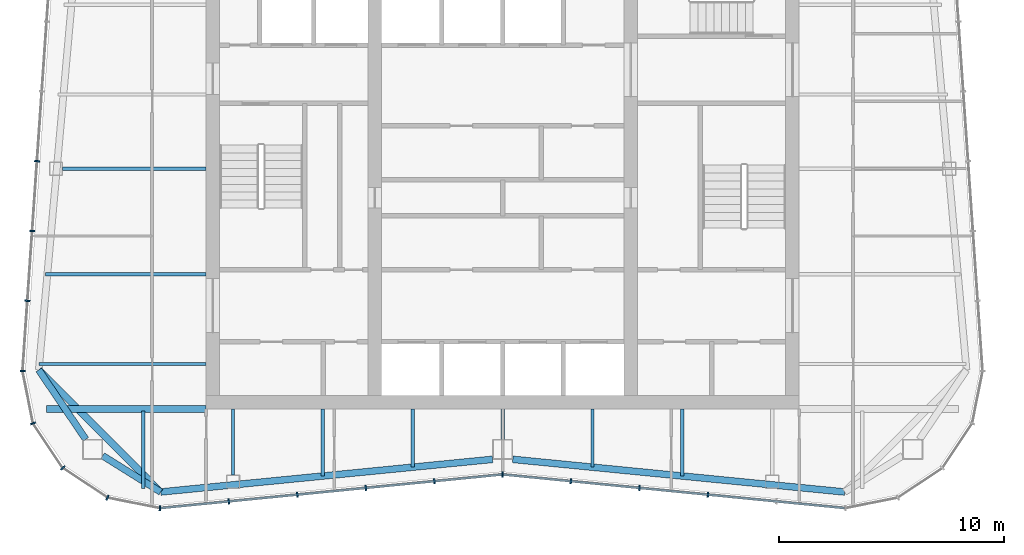
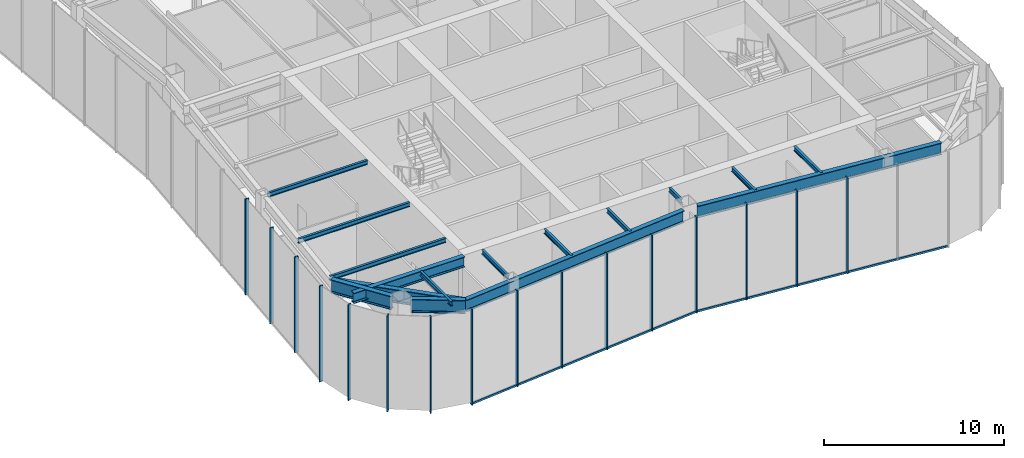
# One storey, part 3 of 15: 18 members, 16 beams, 3 elements without a shape of their own.
"""IFC4 building model written with IfcOpenShell, lengths in metres."""

from ifc_helpers import new_model, si_unit, direction, frame, origin, origin_2d, place, context, subcontext, project, spatial, rectangle, i_section, extrude, material, material_profile, profile_set, type_object, element, aggregate, save


model = new_model("IFC4")

# Units and contexts
model_context = context("Model", 3, precision=1e-05, world=origin(), true_north=direction((0.0, 1.0)))
body_context = subcontext(model_context, "Body", "Model", "MODEL_VIEW")
ifc_project = project(units=[si_unit("LENGTHUNIT", "METRE"), si_unit("AREAUNIT", "SQUARE_METRE"), si_unit("VOLUMEUNIT", "CUBIC_METRE"), si_unit("PLANEANGLEUNIT", "RADIAN"), si_unit("MASSUNIT", "GRAM", prefix="KILO")], contexts=[model_context])

# Site, building, storey
site_placement = place(None, origin())
site = spatial("IfcSite", under=ifc_project, at=site_placement, CompositionType="ELEMENT")
building_placement = place(site_placement, origin())
building = spatial("IfcBuilding", under=site, at=building_placement, Name="Verdant Reach Tower", CompositionType="ELEMENT")
storey_placement = place(building_placement, frame((0.0, 0.0, 334.0)))
storey = spatial("IfcBuildingStorey", under=building, at=storey_placement, Name="L77", CompositionType="ELEMENT", Elevation=334.0)

# Curtain wall, members
ifc_material_1 = material(Name="Anodised aluminium", Category="aluminium")
curtain_wall_type = type_object("IfcCurtainWallType", Name="EN-CW SYSTEM Z5", PredefinedType="NOTDEFINED", material=ifc_material_1)
curtain_wall_1_placement = place(storey_placement, origin())
curtain_wall_1 = element("IfcCurtainWall", 1, at=curtain_wall_1_placement, inside=storey, type_object=curtain_wall_type, Name="Curtain wall west, L77", PredefinedType="NOTDEFINED")
ifc_material_profile_1 = material_profile(ifc_material_1, rectangle(XDim=0.22998046875, YDim=0.070068359375, at=origin_2d()), Name="Mullion 70x230")
ifc_profile_set_1 = profile_set([ifc_material_profile_1], Name="Anodised aluminium")
member_type_1 = type_object("IfcMemberType", Name="EN-MULLION Z5", PredefinedType="MULLION", material=ifc_profile_set_1)
member_1_placement = place(storey_placement, frame((-20.721923828125, 28.829345703125, -0.35009765625), z_axis=(0.0, 0.0, 1.0), x_axis=(-0.997630328423, 0.068802091615, 0.0)))
member_1 = element("IfcMember", 2, at=member_1_placement, type_object=member_type_1, Name="Mullion west face part 2 5, L77", PredefinedType="MULLION", context=body_context, shape_type="SweptSolid", body=[
    extrude(rectangle(XDim=0.22998046875, YDim=0.070068359375, at=origin_2d()), origin(), (0.0, 0.0, 1.0), 6.5),
])
member_2_placement = place(storey_placement, frame((-20.93603515625, 25.72216796875, -0.35009765625), z_axis=(0.0, 0.0, 1.0), x_axis=(-0.997630328423, 0.068802091615, 0.0)))
member_2 = element("IfcMember", 3, at=member_2_placement, type_object=member_type_1, Name="Mullion west face part 2 6, L77", PredefinedType="MULLION", context=body_context, shape_type="SweptSolid", body=[
    extrude(rectangle(XDim=0.22998046875, YDim=0.070068359375, at=origin_2d()), origin(), (0.0, 0.0, 1.0), 6.5),
])
member_3_placement = place(storey_placement, frame((-21.150390625, 22.614990234375, -0.35009765625), z_axis=(0.0, 0.0, 1.0), x_axis=(-0.997630328423, 0.068802091615, 0.0)))
member_3 = element("IfcMember", 4, at=member_3_placement, type_object=member_type_1, Name="Mullion west face part 2 7, L77", PredefinedType="MULLION", context=body_context, shape_type="SweptSolid", body=[
    extrude(rectangle(XDim=0.22998046875, YDim=0.070068359375, at=origin_2d()), origin(), (0.0, 0.0, 1.0), 6.5),
])
aggregate(curtain_wall_1, [member_1, member_2, member_3])

curtain_wall_2_placement = place(storey_placement, origin())
curtain_wall_2 = element("IfcCurtainWall", 5, at=curtain_wall_2_placement, inside=storey, type_object=curtain_wall_type, Name="Curtain wall south-west corner, L77", PredefinedType="NOTDEFINED")
member_4_placement = place(storey_placement, frame((-21.36474609375, 19.49267578125, -0.35009765625), z_axis=(0.0, 0.0, 1.0), x_axis=(-0.997969180898, -0.063698618332, 0.0)))
member_4 = element("IfcMember", 6, at=member_4_placement, type_object=member_type_1, Name="Mullion south-west corner 1, L77", PredefinedType="MULLION", context=body_context, shape_type="SweptSolid", body=[
    extrude(rectangle(XDim=0.22998046875, YDim=0.070068359375, at=origin_2d()), origin(), (0.0, 0.0, 1.0), 6.5),
])
member_5_placement = place(storey_placement, frame((-20.899658203125, 17.159912109375, -0.35009765625), z_axis=(0.0, 0.0, 1.0), x_axis=(-0.923875215753, -0.382693853776, 0.0)))
member_5 = element("IfcMember", 7, at=member_5_placement, type_object=member_type_1, Name="Mullion south-west corner 2, L77", PredefinedType="MULLION", context=body_context, shape_type="SweptSolid", body=[
    extrude(rectangle(XDim=0.22998046875, YDim=0.070068359375, at=origin_2d()), origin(), (0.0, 0.0, 1.0), 6.5),
])
member_6_placement = place(storey_placement, frame((-19.573974609375, 15.176025390625, -0.35009765625), z_axis=(0.0, 0.0, 1.0), x_axis=(-0.707106781187, -0.707106781187, 0.0)))
member_6 = element("IfcMember", 8, at=member_6_placement, type_object=member_type_1, Name="Mullion south-west corner 3, L77", PredefinedType="MULLION", context=body_context, shape_type="SweptSolid", body=[
    extrude(rectangle(XDim=0.22998046875, YDim=0.070068359375, at=origin_2d()), origin(), (0.0, 0.0, 1.0), 6.5),
])
member_7_placement = place(storey_placement, frame((-17.590087890625, 13.850341796875, -0.35009765625), z_axis=(0.0, 0.0, 1.0), x_axis=(-0.382693853776, -0.923875215753, 0.0)))
member_7 = element("IfcMember", 9, at=member_7_placement, type_object=member_type_1, Name="Mullion south-west corner 4, L77", PredefinedType="MULLION", context=body_context, shape_type="SweptSolid", body=[
    extrude(rectangle(XDim=0.22998046875, YDim=0.070068359375, at=origin_2d()), origin(), (0.0, 0.0, 1.0), 6.5),
])
aggregate(curtain_wall_2, [member_4, member_5, member_6, member_7])

curtain_wall_3_placement = place(storey_placement, origin())
curtain_wall_3 = element("IfcCurtainWall", 10, at=curtain_wall_3_placement, inside=storey, type_object=curtain_wall_type, Name="Curtain wall south, L77", PredefinedType="NOTDEFINED")
member_8_placement = place(storey_placement, frame((-15.255615234375, 13.38525390625, -0.35009765625), z_axis=(0.0, 0.0, 1.0), x_axis=(-0.049127596288, -0.998792510626, 0.0)))
member_8 = element("IfcMember", 11, at=member_8_placement, type_object=member_type_1, Name="Mullion south face part 1 1, L77", PredefinedType="MULLION", context=body_context, shape_type="SweptSolid", body=[
    extrude(rectangle(XDim=0.22998046875, YDim=0.070068359375, at=origin_2d()), origin(), (0.0, 0.0, 1.0), 6.5),
])
member_9_placement = place(storey_placement, frame((-12.188720703125, 13.685546875, -0.35009765625), z_axis=(0.0, 0.0, 1.0), x_axis=(0.09788826992, -0.995197410875, 0.0)))
member_9 = element("IfcMember", 12, at=member_9_placement, type_object=member_type_1, Name="Mullion south face part 1 2, L77", PredefinedType="MULLION", context=body_context, shape_type="SweptSolid", body=[
    extrude(rectangle(XDim=0.22998046875, YDim=0.070068359375, at=origin_2d()), origin(), (0.0, 0.0, 1.0), 6.5),
])
member_10_placement = place(storey_placement, frame((-9.138671875, 13.985595703125, -0.35009765625), z_axis=(0.0, 0.0, 1.0), x_axis=(0.09788826992, -0.995197410875, 0.0)))
member_10 = element("IfcMember", 13, at=member_10_placement, type_object=member_type_1, Name="Mullion south face part 1 3, L77", PredefinedType="MULLION", context=body_context, shape_type="SweptSolid", body=[
    extrude(rectangle(XDim=0.22998046875, YDim=0.070068359375, at=origin_2d()), origin(), (0.0, 0.0, 1.0), 6.5),
])
member_11_placement = place(storey_placement, frame((-6.088623046875, 14.28564453125, -0.35009765625), z_axis=(0.0, 0.0, 1.0), x_axis=(0.09788826992, -0.995197410875, 0.0)))
member_11 = element("IfcMember", 14, at=member_11_placement, type_object=member_type_1, Name="Mullion south face part 1 4, L77", PredefinedType="MULLION", context=body_context, shape_type="SweptSolid", body=[
    extrude(rectangle(XDim=0.22998046875, YDim=0.070068359375, at=origin_2d()), origin(), (0.0, 0.0, 1.0), 6.5),
])
member_12_placement = place(storey_placement, frame((-3.038818359375, 14.58544921875, -0.35009765625), z_axis=(0.0, 0.0, 1.0), x_axis=(0.09788826992, -0.995197410875, 0.0)))
member_12 = element("IfcMember", 15, at=member_12_placement, type_object=member_type_1, Name="Mullion south face part 1 5, L77", PredefinedType="MULLION", context=body_context, shape_type="SweptSolid", body=[
    extrude(rectangle(XDim=0.22998046875, YDim=0.070068359375, at=origin_2d()), origin(), (0.0, 0.0, 1.0), 6.5),
])
member_13_placement = place(storey_placement, frame((0.0, 14.885009765625, -0.35009765625), z_axis=(0.0, 0.0, 1.0), x_axis=(0.0, -1.0, 0.0)))
member_13 = element("IfcMember", 16, at=member_13_placement, type_object=member_type_1, Name="Mullion south face part 2 1, L77", PredefinedType="MULLION", context=body_context, shape_type="SweptSolid", body=[
    extrude(rectangle(XDim=0.22998046875, YDim=0.070068359375, at=origin_2d()), origin(), (0.0, 0.0, 1.0), 6.5),
])
member_14_placement = place(storey_placement, frame((3.038818359375, 14.58544921875, -0.35009765625), z_axis=(0.0, 0.0, 1.0), x_axis=(-0.09788826992, -0.995197410875, 0.0)))
member_14 = element("IfcMember", 17, at=member_14_placement, type_object=member_type_1, Name="Mullion south face part 2 2, L77", PredefinedType="MULLION", context=body_context, shape_type="SweptSolid", body=[
    extrude(rectangle(XDim=0.22998046875, YDim=0.070068359375, at=origin_2d()), origin(), (0.0, 0.0, 1.0), 6.5),
])
member_15_placement = place(storey_placement, frame((6.088623046875, 14.28564453125, -0.35009765625), z_axis=(0.0, 0.0, 1.0), x_axis=(-0.09788826992, -0.995197410875, 0.0)))
member_15 = element("IfcMember", 18, at=member_15_placement, type_object=member_type_1, Name="Mullion south face part 2 3, L77", PredefinedType="MULLION", context=body_context, shape_type="SweptSolid", body=[
    extrude(rectangle(XDim=0.22998046875, YDim=0.070068359375, at=origin_2d()), origin(), (0.0, 0.0, 1.0), 6.5),
])
member_16_placement = place(storey_placement, frame((9.138671875, 13.985595703125, -0.35009765625), z_axis=(0.0, 0.0, 1.0), x_axis=(-0.09788826992, -0.995197410875, 0.0)))
member_16 = element("IfcMember", 19, at=member_16_placement, type_object=member_type_1, Name="Mullion south face part 2 4, L77", PredefinedType="MULLION", context=body_context, shape_type="SweptSolid", body=[
    extrude(rectangle(XDim=0.22998046875, YDim=0.070068359375, at=origin_2d()), origin(), (0.0, 0.0, 1.0), 6.5),
])
ifc_material_profile_2 = material_profile(ifc_material_1, rectangle(XDim=0.10009765625, YDim=0.1298828125, at=origin_2d()), Name="Transom 130x100")
ifc_profile_set_2 = profile_set([ifc_material_profile_2], Name="Anodised aluminium")
member_type_2 = type_object("IfcMemberType", Name="EN-TRANSOM Z5", PredefinedType="USERDEFINED", material=ifc_profile_set_2)
member_17_placement = place(storey_placement, frame((-15.220703125, 13.388671875, -0.284912109375), z_axis=(0.99520229006, 0.097838652171, 0.0), x_axis=(-0.097838652171, 0.99520229006, 0.0)))
member_17 = element("IfcMember", 20, at=member_17_placement, type_object=member_type_2, Name="Transom south face part 1 1.1, L77", ObjectType="TRANSOM", PredefinedType="USERDEFINED", context=body_context, shape_type="SweptSolid", body=[
    extrude(rectangle(XDim=0.10009765625, YDim=0.1298828125, at=origin_2d()), origin(), (0.0, 0.0, 1.0), 15.259033203125),
])
member_18_placement = place(storey_placement, frame((0.034912109375, 14.881591796875, -0.284912109375), z_axis=(0.99520229006, -0.097838652171, 0.0), x_axis=(0.097838652171, 0.99520229006, 0.0)))
member_18 = element("IfcMember", 21, at=member_18_placement, type_object=member_type_2, Name="Transom south face part 2 1.1, L77", ObjectType="TRANSOM", PredefinedType="USERDEFINED", context=body_context, shape_type="SweptSolid", body=[
    extrude(rectangle(XDim=0.10009765625, YDim=0.1298828125, at=origin_2d()), origin(), (0.0, 0.0, 1.0), 15.259033203125),
])
aggregate(curtain_wall_3, [member_8, member_9, member_10, member_11, member_12, member_17, member_13, member_14, member_15, member_16, member_18])

# Beams
ifc_material_2 = material(Name="Steel S355", Category="steel")
ifc_material_profile_3 = material_profile(ifc_material_2, i_section(OverallWidth=0.300048828125, OverallDepth=0.699951171875, WebThickness=0.01708984375, FlangeThickness=0.031982421875, FilletRadius=0.027099609375, at=origin_2d()), Name="HEB 700")
ifc_profile_set_3 = profile_set([ifc_material_profile_3], Name="Steel S355")
beam_type_1 = type_object("IfcBeamType", Name="ST-BEAM-HEB700", PredefinedType="BEAM", material=ifc_profile_set_3)
beam_1_placement = place(storey_placement, frame((-13.199951171875, 17.800048828125, 6.0), z_axis=(-1.0, 0.0, 0.0), x_axis=(0.0, -1.0, 0.0)))
element("IfcBeam", 22, at=beam_1_placement, inside=storey, type_object=beam_type_1, Name="Trimmer beam, L77", PredefinedType="BEAM", context=body_context, shape_type="SweptSolid", body=[
    extrude(i_section(OverallWidth=0.300048828125, OverallDepth=0.699951171875, WebThickness=0.01708984375, FlangeThickness=0.031982421875, FilletRadius=0.027099609375, at=origin_2d()), origin(), (0.0, 0.0, 1.0), 7.10009765625),
])
ifc_material_profile_4 = material_profile(ifc_material_2, i_section(OverallWidth=0.302001953125, OverallDepth=0.909912109375, WebThickness=0.02099609375, FlangeThickness=0.0400390625, FilletRadius=0.030029296875, at=origin_2d()), Name="HEM 900")
ifc_profile_set_4 = profile_set([ifc_material_profile_4], Name="Steel S355")
beam_type_2 = type_object("IfcBeamType", Name="ST-BEAM-HEM900", PredefinedType="BEAM", material=ifc_profile_set_4)
beam_2_placement = place(storey_placement, frame((-17.800048828125, 15.71875, 5.89501953125), z_axis=(0.847903624467, -0.530150397166, 0.0), x_axis=(0.530150397166, 0.847903624467, 0.0)))
element("IfcBeam", 23, at=beam_2_placement, inside=storey, type_object=beam_type_2, Name="Column stub beam, L77", PredefinedType="BEAM", context=body_context, shape_type="SweptSolid", body=[
    extrude(i_section(OverallWidth=0.302001953125, OverallDepth=0.909912109375, WebThickness=0.02099609375, FlangeThickness=0.0400390625, FilletRadius=0.030029296875, at=origin_2d()), origin(), (0.0, 0.0, 1.0), 3.042724609375),
])
beam_3_placement = place(storey_placement, frame((-18.5546875, 16.449951171875, 5.89501953125), z_axis=(-0.560667226688, 0.828041219335, 0.0), x_axis=(-0.828041219335, -0.560667226688, 0.0)))
element("IfcBeam", 24, at=beam_3_placement, inside=storey, type_object=beam_type_2, Name="Column stub beam, L77", PredefinedType="BEAM", context=body_context, shape_type="SweptSolid", body=[
    extrude(i_section(OverallWidth=0.302001953125, OverallDepth=0.909912109375, WebThickness=0.02099609375, FlangeThickness=0.0400390625, FilletRadius=0.030029296875, at=origin_2d()), origin(), (0.0, 0.0, 1.0), 3.72998046875),
])
ifc_material_profile_5 = material_profile(ifc_material_2, i_section(OverallWidth=0.14990234375, OverallDepth=0.300048828125, WebThickness=0.007080078125, FlangeThickness=0.0107421875, FilletRadius=0.014892578125, at=origin_2d()), Name="IPE 300")
ifc_profile_set_5 = profile_set([ifc_material_profile_5], Name="Steel S355")
beam_type_3 = type_object("IfcBeamType", Name="ST-JOIST-IPE300", PredefinedType="JOIST", material=ifc_profile_set_5)
beam_4_placement = place(storey_placement, frame((-16.0, 17.699951171875, 6.199951171875), z_axis=(0.0, -1.0, 0.0), x_axis=(1.0, 0.0, 0.0)))
element("IfcBeam", 25, at=beam_4_placement, inside=storey, type_object=beam_type_3, Name="Floor joist, L77", PredefinedType="JOIST", context=body_context, shape_type="SweptSolid", body=[
    extrude(i_section(OverallWidth=0.14990234375, OverallDepth=0.300048828125, WebThickness=0.007080078125, FlangeThickness=0.0107421875, FilletRadius=0.014892578125, at=origin_2d()), origin(), (0.0, 0.0, 1.0), 3.43896484375),
])
beam_5_placement = place(storey_placement, frame((-12.0, 17.800048828125, 6.199951171875), z_axis=(0.0, -1.0, 0.0), x_axis=(1.0, 0.0, 0.0)))
element("IfcBeam", 26, at=beam_5_placement, inside=storey, type_object=beam_type_3, Name="Floor joist, L77", PredefinedType="JOIST", context=body_context, shape_type="SweptSolid", body=[
    extrude(i_section(OverallWidth=0.14990234375, OverallDepth=0.300048828125, WebThickness=0.007080078125, FlangeThickness=0.0107421875, FilletRadius=0.014892578125, at=origin_2d()), origin(), (0.0, 0.0, 1.0), 2.930419921875),
])
beam_6_placement = place(storey_placement, frame((-8.0, 17.800048828125, 6.199951171875), z_axis=(0.0, -1.0, 0.0), x_axis=(1.0, 0.0, 0.0)))
element("IfcBeam", 27, at=beam_6_placement, inside=storey, type_object=beam_type_3, Name="Floor joist, L77", PredefinedType="JOIST", context=body_context, shape_type="SweptSolid", body=[
    extrude(i_section(OverallWidth=0.14990234375, OverallDepth=0.300048828125, WebThickness=0.007080078125, FlangeThickness=0.0107421875, FilletRadius=0.014892578125, at=origin_2d()), origin(), (0.0, 0.0, 1.0), 2.984130859375),
])
beam_7_placement = place(storey_placement, frame((-4.0, 17.800048828125, 6.199951171875), z_axis=(0.0, -1.0, 0.0), x_axis=(1.0, 0.0, 0.0)))
element("IfcBeam", 28, at=beam_7_placement, inside=storey, type_object=beam_type_3, Name="Floor joist, L77", PredefinedType="JOIST", context=body_context, shape_type="SweptSolid", body=[
    extrude(i_section(OverallWidth=0.14990234375, OverallDepth=0.300048828125, WebThickness=0.007080078125, FlangeThickness=0.0107421875, FilletRadius=0.014892578125, at=origin_2d()), origin(), (0.0, 0.0, 1.0), 2.590576171875),
])
beam_8_placement = place(storey_placement, frame((0.0, 17.800048828125, 6.199951171875), z_axis=(0.0, -1.0, 0.0), x_axis=(1.0, 0.0, 0.0)))
element("IfcBeam", 29, at=beam_8_placement, inside=storey, type_object=beam_type_3, Name="Floor joist, L77", PredefinedType="JOIST", context=body_context, shape_type="SweptSolid", body=[
    extrude(i_section(OverallWidth=0.14990234375, OverallDepth=0.300048828125, WebThickness=0.007080078125, FlangeThickness=0.0107421875, FilletRadius=0.014892578125, at=origin_2d()), origin(), (0.0, 0.0, 1.0), 1.35009765625),
])
beam_9_placement = place(storey_placement, frame((4.0, 17.800048828125, 6.199951171875), z_axis=(0.0, -1.0, 0.0), x_axis=(1.0, 0.0, 0.0)))
element("IfcBeam", 30, at=beam_9_placement, inside=storey, type_object=beam_type_3, Name="Floor joist, L77", PredefinedType="JOIST", context=body_context, shape_type="SweptSolid", body=[
    extrude(i_section(OverallWidth=0.14990234375, OverallDepth=0.300048828125, WebThickness=0.007080078125, FlangeThickness=0.0107421875, FilletRadius=0.014892578125, at=origin_2d()), origin(), (0.0, 0.0, 1.0), 2.590576171875),
])
beam_10_placement = place(storey_placement, frame((8.0, 17.800048828125, 6.199951171875), z_axis=(0.0, -1.0, 0.0), x_axis=(1.0, 0.0, 0.0)))
element("IfcBeam", 31, at=beam_10_placement, inside=storey, type_object=beam_type_3, Name="Floor joist, L77", PredefinedType="JOIST", context=body_context, shape_type="SweptSolid", body=[
    extrude(i_section(OverallWidth=0.14990234375, OverallDepth=0.300048828125, WebThickness=0.007080078125, FlangeThickness=0.0107421875, FilletRadius=0.014892578125, at=origin_2d()), origin(), (0.0, 0.0, 1.0), 2.984130859375),
])
beam_11_placement = place(storey_placement, frame((-13.199951171875, 19.800048828125, 6.199951171875), z_axis=(-1.0, 0.0, 0.0), x_axis=(0.0, -1.0, 0.0)))
element("IfcBeam", 32, at=beam_11_placement, inside=storey, type_object=beam_type_3, Name="Floor joist, L77", PredefinedType="JOIST", context=body_context, shape_type="SweptSolid", body=[
    extrude(i_section(OverallWidth=0.14990234375, OverallDepth=0.300048828125, WebThickness=0.007080078125, FlangeThickness=0.0107421875, FilletRadius=0.014892578125, at=origin_2d()), origin(), (0.0, 0.0, 1.0), 7.427978515625),
])
beam_12_placement = place(storey_placement, frame((-13.199951171875, 23.800048828125, 6.199951171875), z_axis=(-1.0, 0.0, 0.0), x_axis=(0.0, -1.0, 0.0)))
element("IfcBeam", 33, at=beam_12_placement, inside=storey, type_object=beam_type_3, Name="Floor joist, L77", PredefinedType="JOIST", context=body_context, shape_type="SweptSolid", body=[
    extrude(i_section(OverallWidth=0.14990234375, OverallDepth=0.300048828125, WebThickness=0.007080078125, FlangeThickness=0.0107421875, FilletRadius=0.014892578125, at=origin_2d()), origin(), (0.0, 0.0, 1.0), 7.152099609375),
])
beam_13_placement = place(storey_placement, frame((-13.199951171875, 28.5, 6.199951171875), z_axis=(-1.0, 0.0, 0.0), x_axis=(0.0, -1.0, 0.0)))
element("IfcBeam", 34, at=beam_13_placement, inside=storey, type_object=beam_type_3, Name="Floor joist, L77", PredefinedType="JOIST", context=body_context, shape_type="SweptSolid", body=[
    extrude(i_section(OverallWidth=0.14990234375, OverallDepth=0.300048828125, WebThickness=0.007080078125, FlangeThickness=0.0107421875, FilletRadius=0.014892578125, at=origin_2d()), origin(), (0.0, 0.0, 1.0), 6.37939453125),
])
ifc_material_profile_6 = material_profile(ifc_material_2, i_section(OverallWidth=0.300048828125, OverallDepth=0.800048828125, WebThickness=0.017578125, FlangeThickness=0.032958984375, FilletRadius=0.030029296875, at=origin_2d()), Name="HEB 800")
ifc_profile_set_6 = profile_set([ifc_material_profile_6], Name="Steel S355")
beam_type_4 = type_object("IfcBeamType", Name="ST-SPANDREL-HEB800", PredefinedType="SPANDREL", material=ifc_profile_set_6)
for number, where, z_axis, x_axis, name in (
    (35, (15.22021484375, 14.105712890625, 5.949951171875), (-0.995196964263, 0.097892810366, 0.0), (-0.097892810366, -0.995196964263, 0.0), "Edge beam, L77"),
    (36, (-0.449951171875, 15.55859375, 5.949951171875), (-0.995196964263, -0.097892810366, 0.0), (0.097892810366, -0.995196964263, 0.0), "Edge beam, L77"),
):
    element("IfcBeam", number, at=place(storey_placement, frame(where, z_axis=z_axis, x_axis=x_axis)), inside=storey, type_object=beam_type_4, Name=name, PredefinedType="SPANDREL", context=body_context, shape_type="SweptSolid", body=[
        extrude(i_section(OverallWidth=0.300048828125, OverallDepth=0.800048828125, WebThickness=0.017578125, FlangeThickness=0.032958984375, FilletRadius=0.030029296875, at=origin_2d()), origin(), (0.0, 0.0, 1.0), 14.841552734375),
    ])
ifc_material_profile_7 = material_profile(ifc_material_2, i_section(OverallWidth=0.302001953125, OverallDepth=0.909912109375, WebThickness=0.02099609375, FlangeThickness=0.0400390625, FilletRadius=0.030029296875, at=origin_2d()), Name="HEM 900")
ifc_profile_set_7 = profile_set([ifc_material_profile_7], Name="Steel S355")
beam_type_5 = type_object("IfcBeamType", Name="ST-SPANDREL-HEM900", PredefinedType="SPANDREL", material=ifc_profile_set_7)
beam_14_placement = place(storey_placement, frame((-15.22021484375, 14.105712890625, 5.89501953125), z_axis=(-0.706645581521, 0.707567680237, 0.0), x_axis=(-0.707567680237, -0.706645581521, 0.0)))
element("IfcBeam", 37, at=beam_14_placement, inside=storey, type_object=beam_type_5, Name="Edge beam, L77", PredefinedType="SPANDREL", context=body_context, shape_type="SweptSolid", body=[
    extrude(i_section(OverallWidth=0.302001953125, OverallDepth=0.909912109375, WebThickness=0.02099609375, FlangeThickness=0.0400390625, FilletRadius=0.030029296875, at=origin_2d()), origin(), (0.0, 0.0, 1.0), 7.67822265625),
])

save(model, "model.ifc")
